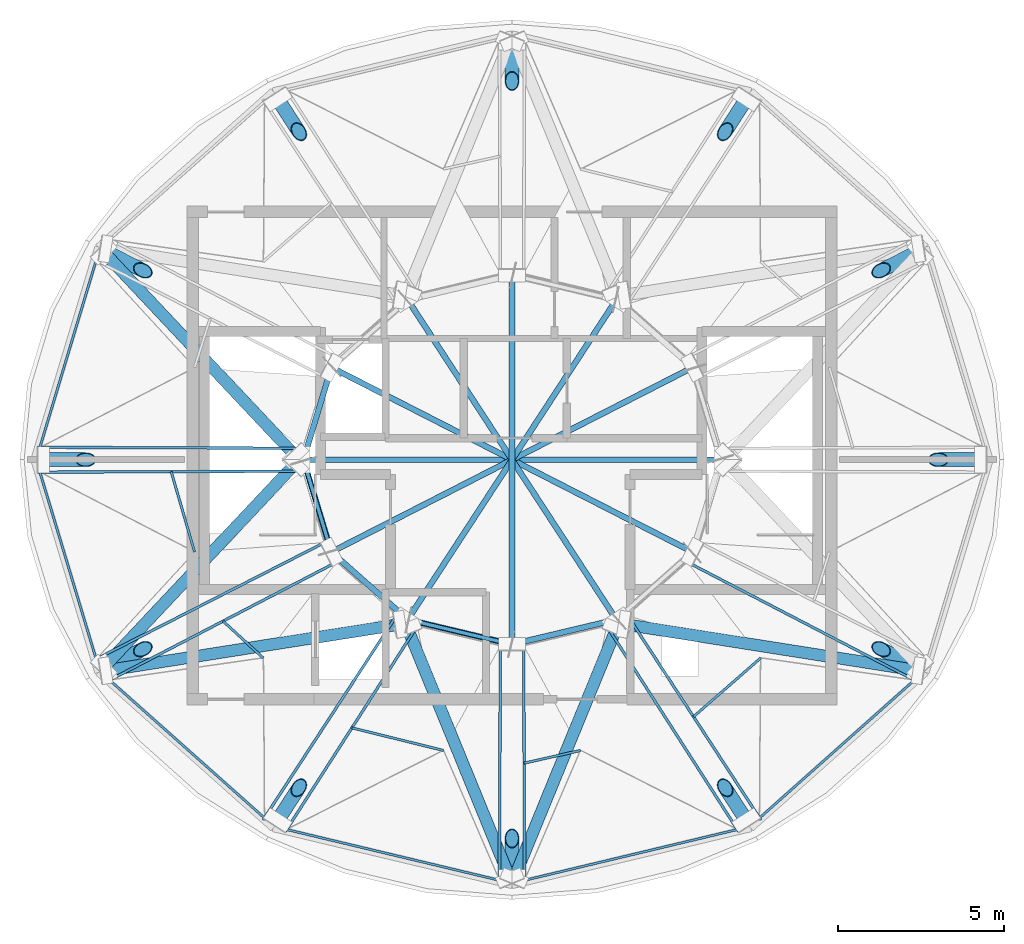
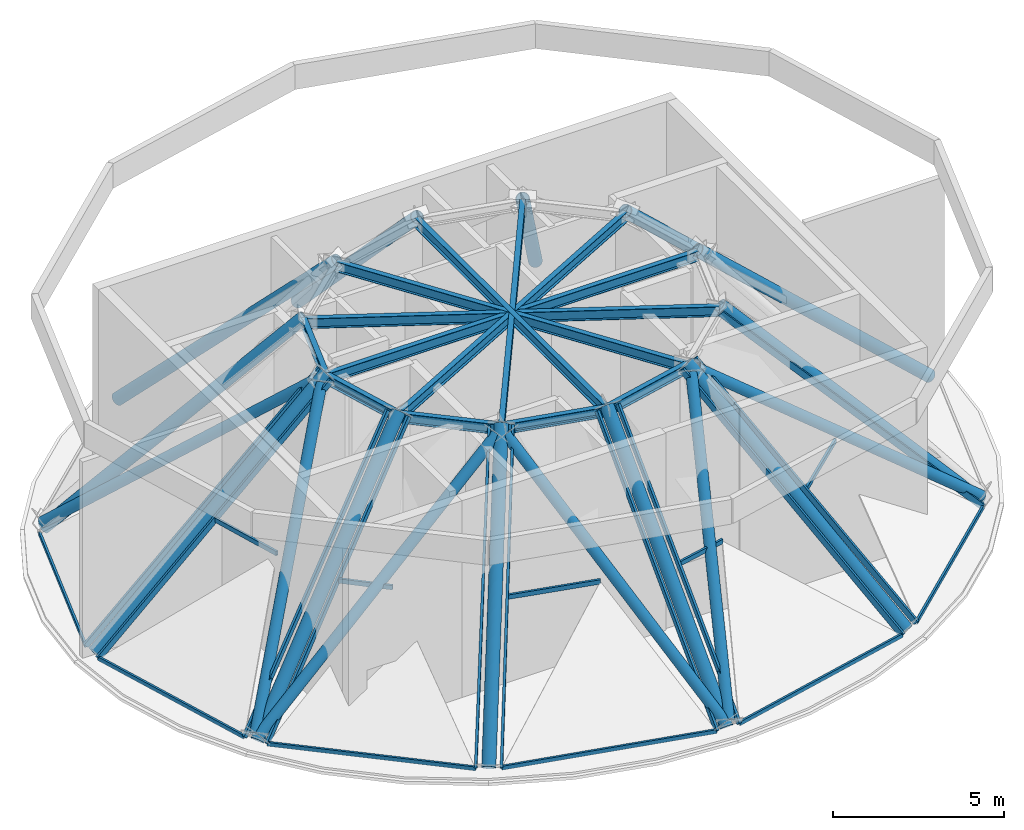
# One storey, part 1 of 6: 30 members, 12 columns, 11 beams, 6 elements without a shape of their own.
"""IFC4 building model written with IfcOpenShell, lengths in metres."""

import ifcopenshell
import ifcopenshell.guid

model = None  # the IFC model being written
_history = None  # IfcOwnerHistory: only IFC2X3 demands one
_inside = {}  # id of a spatial element -> (the spatial element, [elements in it])
_under = {}  # id of a project, library or spatial element -> (it, [spatial elements below it])
_declared = {}  # id of a project -> (the project, [libraries it declares])
_typed = {}  # id of a type object -> (the type object, [elements of that type])
_made_of = {}  # id of a material, layer set ... -> (it, [elements and type objects made of it])


def new_model(schema):
    """Start an empty IFC model of exactly this schema.

    Asked for "IFC4X3", IfcOpenShell would pick the latest addendum, in which some entities
    have other attributes; the version numbers below select the first issue.
    IFC2X3 requires an IfcOwnerHistory on every rooted entity: one is made here for all.
    """
    global model, _history
    if schema == "IFC4X3":
        model = ifcopenshell.file(schema_version=(4, 3, 0, 0))
    else:
        model = ifcopenshell.file(schema=schema)
    _inside.clear()
    _under.clear()
    _declared.clear()
    _typed.clear()
    _made_of.clear()
    _history = None
    if model.schema == "IFC2X3":
        org = make("IfcOrganization", Name="unknown")
        user = make(
            "IfcPersonAndOrganization",
            ThePerson=make("IfcPerson", FamilyName="unknown"),
            TheOrganization=org,
        )
        app = make(
            "IfcApplication",
            ApplicationDeveloper=org,
            Version="unknown",
            ApplicationFullName="unknown",
            ApplicationIdentifier="unknown",
        )
        _history = make(
            "IfcOwnerHistory",
            OwningUser=user,
            OwningApplication=app,
            ChangeAction="ADDED",
            CreationDate=0,
        )
    return model


def make(cls, **values):
    """One entity of the class cls with the attributes given. An attribute that is None is left unset."""
    return model.create_entity(
        cls, **{name: value for name, value in values.items() if value is not None}
    )


def rooted(cls, **values):
    """An entity with a GlobalId (a new one), such as an element, a storey or a relation."""
    return make(cls, GlobalId=ifcopenshell.guid.new(), OwnerHistory=_history, **values)


def si_unit(unit_type, name, prefix=None):
    """IfcSIUnit, for example si_unit("LENGTHUNIT", "METRE", prefix="MILLI")."""
    return make("IfcSIUnit", UnitType=unit_type, Prefix=prefix, Name=name)


def assignment(units):
    """IfcUnitAssignment: the units of a project."""
    return None if units is None else make("IfcUnitAssignment", Units=units)


def point(xyz):
    """IfcCartesianPoint."""
    return None if xyz is None else make("IfcCartesianPoint", Coordinates=xyz)


def direction(xyz):
    """IfcDirection."""
    return None if xyz is None else make("IfcDirection", DirectionRatios=xyz)


def frame(location, z_axis=None, x_axis=None):
    """IfcAxis2Placement3D, a coordinate frame: its origin and axes. An axis left out is left unset."""
    return make(
        "IfcAxis2Placement3D",
        Location=point(location),
        Axis=direction(z_axis),
        RefDirection=direction(x_axis),
    )


def frame_2d(location, x_axis=None):
    """IfcAxis2Placement2D, a coordinate frame in the plane: its origin and x axis."""
    return make(
        "IfcAxis2Placement2D", Location=point(location), RefDirection=direction(x_axis)
    )


def origin():
    """The frame at (0, 0, 0) with its axes left unset."""
    return frame((0.0, 0.0, 0.0))


def origin_2d():
    """The frame at (0, 0) in the plane with its x axis left unset."""
    return frame_2d((0.0, 0.0))


def place(relative_to, where):
    """IfcLocalPlacement: puts the frame where relative to a parent placement (None: the world)."""
    return make(
        "IfcLocalPlacement", PlacementRelTo=relative_to, RelativePlacement=where
    )


def context(
    kind, dimensions, precision=None, world=None, true_north=None, identifier=None
):
    """IfcGeometricRepresentationContext, for example the 3D "Model" context."""
    return make(
        "IfcGeometricRepresentationContext",
        ContextIdentifier=identifier,
        ContextType=kind,
        CoordinateSpaceDimension=dimensions,
        Precision=precision,
        WorldCoordinateSystem=world,
        TrueNorth=true_north,
    )


def subcontext(parent, identifier, kind, view, scale=None):
    """IfcGeometricRepresentationSubContext, for example "Body" below "Model"."""
    return make(
        "IfcGeometricRepresentationSubContext",
        ContextIdentifier=identifier,
        ContextType=kind,
        ParentContext=parent,
        TargetScale=scale,
        TargetView=view,
    )


def project(units=None, contexts=None):
    """IfcProject with its units and contexts."""
    return rooted(
        "IfcProject",
        Name="project",
        RepresentationContexts=contexts,
        UnitsInContext=assignment(units),
    )


def spatial(cls, under=None, at=None, **own):
    """A site, building, storey or space (cls), placed at a placement, below another one or the project."""
    s = rooted(cls, ObjectPlacement=at, **own)
    if under is not None:
        _under.setdefault(under.id(), (under, []))[1].append(s)
    return s


def profile(cls, at=None, kind="AREA", **sizes):
    """A parametric profile (cls). Its sizes go by their IFC names, for example OverallWidth=200.0."""
    return make(cls, ProfileType=kind, Position=at, **sizes)


def hollow_rectangle(**sizes):
    """IfcRectangleHollowProfileDef."""
    return profile("IfcRectangleHollowProfileDef", **sizes)


def hollow_circle(**sizes):
    """IfcCircleHollowProfileDef."""
    return profile("IfcCircleHollowProfileDef", **sizes)


def i_section(**sizes):
    """IfcIShapeProfileDef."""
    return profile("IfcIShapeProfileDef", **sizes)


def extrude(swept, where, along, depth):
    """IfcExtrudedAreaSolid: the profile swept, set in the frame where, extruded along a direction by depth."""
    return make(
        "IfcExtrudedAreaSolid",
        SweptArea=swept,
        Position=where,
        ExtrudedDirection=direction(along),
        Depth=depth,
    )


def shape(context_of_items, identifier, shape_type, items):
    """IfcShapeRepresentation: the items that make up one representation, for example the "Body"."""
    return make(
        "IfcShapeRepresentation",
        ContextOfItems=context_of_items,
        RepresentationIdentifier=identifier,
        RepresentationType=shape_type,
        Items=items,
    )


def material(Name=None, Category=None):
    """IfcMaterial."""
    return make("IfcMaterial", Name=Name, Category=Category)


def layer(
    of_material, thickness, ventilated=None, Name=None, Category=None, Priority=None
):
    """IfcMaterialLayer: one layer of a wall or slab, of a material (None: an air gap)."""
    return make(
        "IfcMaterialLayer",
        Material=of_material,
        LayerThickness=thickness,
        IsVentilated=ventilated,
        Name=Name,
        Category=Category,
        Priority=Priority,
    )


def layer_set(layers, Name=None):
    """IfcMaterialLayerSet."""
    return make("IfcMaterialLayerSet", MaterialLayers=layers, LayerSetName=Name)


def material_profile(
    of_material, cross_section, Name=None, Category=None, Priority=None
):
    """IfcMaterialProfile: a cross section and its material."""
    return make(
        "IfcMaterialProfile",
        Name=Name,
        Material=of_material,
        Profile=cross_section,
        Priority=Priority,
        Category=Category,
    )


def profile_set(profiles, Name=None, composite=None):
    """IfcMaterialProfileSet."""
    return make(
        "IfcMaterialProfileSet",
        Name=Name,
        MaterialProfiles=profiles,
        CompositeProfile=composite,
    )


def made_of(thing, what):
    """Note that an element or type object is made of a material, layer set ...; save() writes the relation."""
    if what is not None:
        _made_of.setdefault(what.id(), (what, []))[1].append(thing)
    return thing


def type_object(cls, material=None, **own):
    """A type object (cls), such as IfcWallType, which elements share."""
    return made_of(rooted(cls, **own), material)


def element(
    cls,
    number,
    at=None,
    inside=None,
    cuts=None,
    type_object=None,
    material=None,
    context=None,
    identifier="Body",
    shape_type=None,
    held_by="IfcProductDefinitionShape",
    body=None,
    shapes=None,
    **own,
):
    """One element of the class cls, such as IfcWall. Its Tag is "e" and its number.

    at: its placement. inside: the storey or other place that contains it. cuts: it is an
    opening in that element (IfcRelVoidsElement). A single representation is given by context,
    identifier, shape_type and body (its items); several are given by shapes. held_by: the class
    of the entity that holds the representations. save() writes the other relations.
    """
    e = rooted(cls, Tag="e%d" % number, ObjectPlacement=at, **own)
    if body is not None:
        shapes = [shape(context, identifier, shape_type, body)]
    if shapes is not None:
        e.Representation = make(held_by, Representations=shapes)
    if inside is not None:
        _inside.setdefault(inside.id(), (inside, []))[1].append(e)
    if cuts is not None:
        rooted(
            "IfcRelVoidsElement", RelatingBuildingElement=cuts, RelatedOpeningElement=e
        )
    if type_object is not None:
        _typed.setdefault(type_object.id(), (type_object, []))[1].append(e)
    return made_of(e, material)


def aggregate(whole, parts):
    """IfcRelAggregates: a whole, such as a stair, and the parts it consists of."""
    return rooted("IfcRelAggregates", RelatingObject=whole, RelatedObjects=parts)


def save(model, path):
    """Write the relations noted so far, then the file.

    IfcRelAggregates (storeys below a building ...), IfcRelContainedInSpatialStructure (elements
    in a storey), IfcRelDefinesByType, IfcRelAssociatesMaterial and IfcRelDeclares: one each for
    every whole, place, type object, material and project.
    """
    for whole, parts in _under.values():
        aggregate(whole, parts)
    for where, things in _inside.values():
        rooted(
            "IfcRelContainedInSpatialStructure",
            RelatedElements=things,
            RelatingStructure=where,
        )
    for kind, things in _typed.values():
        rooted("IfcRelDefinesByType", RelatedObjects=things, RelatingType=kind)
    for what, things in _made_of.values():
        rooted("IfcRelAssociatesMaterial", RelatedObjects=things, RelatingMaterial=what)
    for by, libraries in _declared.values():
        rooted("IfcRelDeclares", RelatingContext=by, RelatedDefinitions=libraries)
    model.write(path)


model = new_model("IFC4")

# Units and contexts
model_context = context("Model", 3, precision=1e-05, world=origin(), true_north=direction((0.0, 1.0)))
body_context = subcontext(model_context, "Body", "Model", "MODEL_VIEW")
ifc_project = project(units=[si_unit("LENGTHUNIT", "METRE"), si_unit("AREAUNIT", "SQUARE_METRE"), si_unit("VOLUMEUNIT", "CUBIC_METRE"), si_unit("PLANEANGLEUNIT", "RADIAN"), si_unit("MASSUNIT", "GRAM", prefix="KILO")], contexts=[model_context])

# Site, building, storey
site_placement = place(None, origin())
site = spatial("IfcSite", under=ifc_project, at=site_placement, CompositionType="ELEMENT")
building_placement = place(site_placement, origin())
building = spatial("IfcBuilding", under=site, at=building_placement, Name="Vantalir Tower", CompositionType="ELEMENT")
storey_placement = place(building_placement, frame((0.0, 0.0, 340.75)))
storey = spatial("IfcBuildingStorey", under=building, at=storey_placement, Name="L81", CompositionType="ELEMENT", Elevation=340.75)

# Columns
ifc_material_1 = material(Name="Steel S460", Category="steel")
ifc_material_profile_1 = material_profile(ifc_material_1, hollow_circle(Radius=0.2099609375, WallThickness=0.02001953125, at=origin_2d()), Name="Steel S460")
ifc_profile_set_1 = profile_set([ifc_material_profile_1], Name="Steel S460")
column_type = type_object("IfcColumnType", Name="COL-RC-420", PredefinedType="COLUMN", material=ifc_profile_set_1)
column_1_placement = place(storey_placement, frame((45.614013671875, 25.0, 0.0), z_axis=(-0.734365142386, 0.0, 0.678754622562), x_axis=(0.0, -1.0, 0.0)))
element("IfcColumn", 1, at=column_1_placement, inside=storey, type_object=column_type, Name="L81 Perimeter Ring Column RC01", PredefinedType="COLUMN", context=body_context, shape_type="SweptSolid", body=[
    extrude(hollow_circle(Radius=0.2099609375, WallThickness=0.02001953125, at=origin_2d()), origin(), (0.0, 0.0, 1.0), 10.681396484375),
])
column_2_placement = place(storey_placement, frame((43.722900390625, 31.27099609375, 0.0), z_axis=(-0.644964633939, -0.331939820228, 0.688357884181), x_axis=(0.457613709886, -0.889151107812, 0.0)))
element("IfcColumn", 2, at=column_2_placement, inside=storey, type_object=column_type, Name="L81 Perimeter Ring Column RC02", PredefinedType="COLUMN", context=body_context, shape_type="SweptSolid", body=[
    extrude(hollow_circle(Radius=0.2099609375, WallThickness=0.02001953125, at=origin_2d()), origin(), (0.0, 0.0, 1.0), 10.5322265625),
])
column_3_placement = place(storey_placement, frame((38.556884765625, 35.863037109375, 0.0), z_axis=(-0.383407518241, -0.592152672284, 0.708769276749), x_axis=(0.839408544539, -0.543500961688, 0.0)))
element("IfcColumn", 3, at=column_3_placement, inside=storey, type_object=column_type, Name="L81 Perimeter Ring Column RC03", PredefinedType="COLUMN", context=body_context, shape_type="SweptSolid", body=[
    extrude(hollow_circle(Radius=0.2099609375, WallThickness=0.02001953125, at=origin_2d()), origin(), (0.0, 0.0, 1.0), 10.22900390625),
])
column_4_placement = place(storey_placement, frame((31.5, 37.54296875, 0.0), z_axis=(0.0, -0.69423065571, 0.719752594071), x_axis=(1.0, 0.0, 0.0)))
element("IfcColumn", 4, at=column_4_placement, inside=storey, type_object=column_type, Name="L81 Perimeter Ring Column RC04", PredefinedType="COLUMN", context=body_context, shape_type="SweptSolid", body=[
    extrude(hollow_circle(Radius=0.2099609375, WallThickness=0.02001953125, at=origin_2d()), origin(), (0.0, 0.0, 1.0), 10.072998046875),
])
column_5_placement = place(storey_placement, frame((24.443115234375, 35.863037109375, 0.0), z_axis=(0.383407518241, -0.592152672284, 0.708769276749), x_axis=(0.839408544539, 0.543500961688, 0.0)))
element("IfcColumn", 5, at=column_5_placement, inside=storey, type_object=column_type, Name="L81 Perimeter Ring Column RC05", PredefinedType="COLUMN", context=body_context, shape_type="SweptSolid", body=[
    extrude(hollow_circle(Radius=0.2099609375, WallThickness=0.02001953125, at=origin_2d()), origin(), (0.0, 0.0, 1.0), 10.22900390625),
])
column_6_placement = place(storey_placement, frame((19.277099609375, 31.27099609375, 0.0), z_axis=(0.644964633939, -0.331939820228, 0.688357884181), x_axis=(0.457613709886, 0.889151107812, 0.0)))
element("IfcColumn", 6, at=column_6_placement, inside=storey, type_object=column_type, Name="L81 Perimeter Ring Column RC06", PredefinedType="COLUMN", context=body_context, shape_type="SweptSolid", body=[
    extrude(hollow_circle(Radius=0.2099609375, WallThickness=0.02001953125, at=origin_2d()), origin(), (0.0, 0.0, 1.0), 10.5322265625),
])
column_7_placement = place(storey_placement, frame((17.385986328125, 25.0, 0.0), z_axis=(0.734365142386, 0.0, 0.678754622562), x_axis=(0.0, 1.0, 0.0)))
element("IfcColumn", 7, at=column_7_placement, inside=storey, type_object=column_type, Name="L81 Perimeter Ring Column RC07", PredefinedType="COLUMN", context=body_context, shape_type="SweptSolid", body=[
    extrude(hollow_circle(Radius=0.2099609375, WallThickness=0.02001953125, at=origin_2d()), origin(), (0.0, 0.0, 1.0), 10.681396484375),
])
column_8_placement = place(storey_placement, frame((19.277099609375, 18.72802734375, 0.0), z_axis=(0.644944781578, 0.332022320706, 0.688336696152), x_axis=(-0.457714758193, 0.889099094664, 0.0)))
element("IfcColumn", 8, at=column_8_placement, inside=storey, type_object=column_type, Name="L81 Perimeter Ring Column RC08", PredefinedType="COLUMN", context=body_context, shape_type="SweptSolid", body=[
    extrude(hollow_circle(Radius=0.2099609375, WallThickness=0.02001953125, at=origin_2d()), origin(), (0.0, 0.0, 1.0), 10.53271484375),
])
column_9_placement = place(storey_placement, frame((24.443115234375, 14.136962890625, 0.0), z_axis=(0.383407518241, 0.592152672284, 0.708769276749), x_axis=(-0.839408544539, 0.543500961688, 0.0)))
element("IfcColumn", 9, at=column_9_placement, inside=storey, type_object=column_type, Name="L81 Perimeter Ring Column RC09", PredefinedType="COLUMN", context=body_context, shape_type="SweptSolid", body=[
    extrude(hollow_circle(Radius=0.2099609375, WallThickness=0.02001953125, at=origin_2d()), origin(), (0.0, 0.0, 1.0), 10.22900390625),
])
column_10_placement = place(storey_placement, frame((31.5, 12.45703125, 0.0), z_axis=(0.0, 0.69423065571, 0.719752594071), x_axis=(-1.0, 0.0, 0.0)))
element("IfcColumn", 10, at=column_10_placement, inside=storey, type_object=column_type, Name="L81 Perimeter Ring Column RC10", PredefinedType="COLUMN", context=body_context, shape_type="SweptSolid", body=[
    extrude(hollow_circle(Radius=0.2099609375, WallThickness=0.02001953125, at=origin_2d()), origin(), (0.0, 0.0, 1.0), 10.072998046875),
])
column_11_placement = place(storey_placement, frame((38.556884765625, 14.136962890625, 0.0), z_axis=(-0.383407518241, 0.592152672284, 0.708769276749), x_axis=(-0.839408544539, -0.543500961688, 0.0)))
element("IfcColumn", 11, at=column_11_placement, inside=storey, type_object=column_type, Name="L81 Perimeter Ring Column RC11", PredefinedType="COLUMN", context=body_context, shape_type="SweptSolid", body=[
    extrude(hollow_circle(Radius=0.2099609375, WallThickness=0.02001953125, at=origin_2d()), origin(), (0.0, 0.0, 1.0), 10.22900390625),
])
column_12_placement = place(storey_placement, frame((43.722900390625, 18.72802734375, 0.0), z_axis=(-0.644944781578, 0.332022320706, 0.688336696152), x_axis=(-0.457714758193, -0.889099094664, 0.0)))
element("IfcColumn", 12, at=column_12_placement, inside=storey, type_object=column_type, Name="L81 Perimeter Ring Column RC12", PredefinedType="COLUMN", context=body_context, shape_type="SweptSolid", body=[
    extrude(hollow_circle(Radius=0.2099609375, WallThickness=0.02001953125, at=origin_2d()), origin(), (0.0, 0.0, 1.0), 10.53271484375),
])

# Beams
ifc_material_profile_2 = material_profile(ifc_material_1, i_section(OverallWidth=0.172119140625, OverallDepth=0.35791015625, WebThickness=0.008056640625, FlangeThickness=0.012939453125, at=origin_2d()), Name="Steel S460")
ifc_profile_set_2 = profile_set([ifc_material_profile_2], Name="Steel S460")
beam_type = type_object("IfcBeamType", Name="BM-RB-356x171", PredefinedType="BEAM", material=ifc_profile_set_2)
beam_1_placement = place(storey_placement, frame((37.77001953125, 25.0, 7.071044921875), z_axis=(-1.0, 0.0, 0.0), x_axis=(0.0, -1.0, 0.0)))
element("IfcBeam", 13, at=beam_1_placement, inside=storey, type_object=beam_type, Name="L81 Crown Tie Floor Beam 01", PredefinedType="BEAM", context=body_context, shape_type="SweptSolid", body=[
    extrude(i_section(OverallWidth=0.172119140625, OverallDepth=0.35791015625, WebThickness=0.008056640625, FlangeThickness=0.012939453125, at=origin_2d()), origin(), (0.0, 0.0, 1.0), 12.5400390625),
])
beam_2_placement = place(storey_placement, frame((36.929931640625, 27.77490234375, 7.071044921875), z_axis=(-0.89046100098, -0.455059562841, 0.0), x_axis=(0.455059562841, -0.89046100098, 0.0)))
element("IfcBeam", 14, at=beam_2_placement, inside=storey, type_object=beam_type, Name="L81 Crown Tie Floor Beam 02", PredefinedType="BEAM", context=body_context, shape_type="SweptSolid", body=[
    extrude(i_section(OverallWidth=0.172119140625, OverallDepth=0.35791015625, WebThickness=0.008056640625, FlangeThickness=0.012939453125, at=origin_2d()), origin(), (0.0, 0.0, 1.0), 12.19580078125),
])
beam_3_placement = place(storey_placement, frame((34.635009765625, 29.805908203125, 7.071044921875), z_axis=(-0.54635603312, -0.837553034185, 0.0), x_axis=(0.837553034185, -0.54635603312, 0.0)))
element("IfcBeam", 15, at=beam_3_placement, inside=storey, type_object=beam_type, Name="L81 Crown Tie Floor Beam 03", PredefinedType="BEAM", context=body_context, shape_type="SweptSolid", body=[
    extrude(i_section(OverallWidth=0.172119140625, OverallDepth=0.35791015625, WebThickness=0.008056640625, FlangeThickness=0.012939453125, at=origin_2d()), origin(), (0.0, 0.0, 1.0), 11.47607421875),
])
beam_4_placement = place(storey_placement, frame((31.5, 30.550048828125, 7.071044921875), z_axis=(0.0, -1.0, 0.0), x_axis=(1.0, 0.0, 0.0)))
element("IfcBeam", 16, at=beam_4_placement, inside=storey, type_object=beam_type, Name="L81 Crown Tie Floor Beam 04", PredefinedType="BEAM", context=body_context, shape_type="SweptSolid", body=[
    extrude(i_section(OverallWidth=0.172119140625, OverallDepth=0.35791015625, WebThickness=0.008056640625, FlangeThickness=0.012939453125, at=origin_2d()), origin(), (0.0, 0.0, 1.0), 11.10009765625),
])
beam_5_placement = place(storey_placement, frame((28.364990234375, 29.805908203125, 7.071044921875), z_axis=(0.54635603312, -0.837553034185, 0.0), x_axis=(0.837553034185, 0.54635603312, 0.0)))
element("IfcBeam", 17, at=beam_5_placement, inside=storey, type_object=beam_type, Name="L81 Crown Tie Floor Beam 05", PredefinedType="BEAM", context=body_context, shape_type="SweptSolid", body=[
    extrude(i_section(OverallWidth=0.172119140625, OverallDepth=0.35791015625, WebThickness=0.008056640625, FlangeThickness=0.012939453125, at=origin_2d()), origin(), (0.0, 0.0, 1.0), 11.47607421875),
])
beam_6_placement = place(storey_placement, frame((26.070068359375, 27.77490234375, 7.071044921875), z_axis=(-0.289757313078, -0.957100151247, 0.0), x_axis=(0.957100151247, -0.289757313078, 0.0)))
element("IfcBeam", 18, at=beam_6_placement, inside=storey, type_object=beam_type, Name="L81 Circumferential Ring Girder 06", PredefinedType="BEAM", context=body_context, shape_type="SweptSolid", body=[
    extrude(i_section(OverallWidth=0.172119140625, OverallDepth=0.35791015625, WebThickness=0.008056640625, FlangeThickness=0.012939453125, at=origin_2d()), origin(), (0.0, 0.0, 1.0), 2.899169921875),
])
beam_7_placement = place(storey_placement, frame((26.070068359375, 27.77490234375, 7.071044921875), z_axis=(0.89046100098, -0.455059562841, 0.0), x_axis=(0.455059562841, 0.89046100098, 0.0)))
element("IfcBeam", 19, at=beam_7_placement, inside=storey, type_object=beam_type, Name="L81 Crown Tie Floor Beam 06", PredefinedType="BEAM", context=body_context, shape_type="SweptSolid", body=[
    extrude(i_section(OverallWidth=0.172119140625, OverallDepth=0.35791015625, WebThickness=0.008056640625, FlangeThickness=0.012939453125, at=origin_2d()), origin(), (0.0, 0.0, 1.0), 12.19580078125),
])
beam_8_placement = place(storey_placement, frame((25.22998046875, 25.0, 7.071044921875), z_axis=(0.289757313078, -0.957100151247, 0.0), x_axis=(0.957100151247, 0.289757313078, 0.0)))
element("IfcBeam", 20, at=beam_8_placement, inside=storey, type_object=beam_type, Name="L81 Circumferential Ring Girder 07", PredefinedType="BEAM", context=body_context, shape_type="SweptSolid", body=[
    extrude(i_section(OverallWidth=0.172119140625, OverallDepth=0.35791015625, WebThickness=0.008056640625, FlangeThickness=0.012939453125, at=origin_2d()), origin(), (0.0, 0.0, 1.0), 2.899169921875),
])
beam_9_placement = place(storey_placement, frame((26.070068359375, 22.22509765625, 7.071044921875), z_axis=(0.748853610348, -0.662735445158, 0.0), x_axis=(0.662735445158, 0.748853610348, 0.0)))
element("IfcBeam", 21, at=beam_9_placement, inside=storey, type_object=beam_type, Name="L81 Circumferential Ring Girder 08", PredefinedType="BEAM", context=body_context, shape_type="SweptSolid", body=[
    extrude(i_section(OverallWidth=0.172119140625, OverallDepth=0.35791015625, WebThickness=0.008056640625, FlangeThickness=0.012939453125, at=origin_2d()), origin(), (0.0, 0.0, 1.0), 3.064697265625),
])
for number, where, z_axis, x_axis, name in (
    (22, (28.364990234375, 20.194091796875, 7.071044921875), (0.972966140328, -0.23094780747, 0.0), (0.23094780747, 0.972966140328, 0.0), "L81 Circumferential Ring Girder 09"),
    (23, (31.5, 19.449951171875, 7.071044921875), (0.972966140328, 0.23094780747, 0.0), (-0.23094780747, 0.972966140328, 0.0), "L81 Circumferential Ring Girder 10"),
):
    element("IfcBeam", number, at=place(storey_placement, frame(where, z_axis=z_axis, x_axis=x_axis)), inside=storey, type_object=beam_type, Name=name, PredefinedType="BEAM", context=body_context, shape_type="SweptSolid", body=[
        extrude(i_section(OverallWidth=0.172119140625, OverallDepth=0.35791015625, WebThickness=0.008056640625, FlangeThickness=0.012939453125, at=origin_2d()), origin(), (0.0, 0.0, 1.0), 3.22216796875),
    ])

# Curtain wall, member
ifc_material_2 = material(Name="Champagne-silver PVDF aluminium and double-silver Low-E glass", Category="aluminium")
ifc_layer = layer(ifc_material_2, 0.25)
ifc_layer_set = layer_set([ifc_layer], Name="Champagne-silver PVDF aluminium and double-silver Low-E glass")
curtain_wall_type = type_object("IfcCurtainWallType", Name="CW-CROWN-PT", PredefinedType="USERDEFINED", material=ifc_layer_set)
curtain_wall_1_placement = place(storey_placement, origin())
curtain_wall_1 = element("IfcCurtainWall", 24, at=curtain_wall_1_placement, inside=storey, type_object=curtain_wall_type, Name="L81 Quilted Pyramid-Diamond Curtain Wall S06", ObjectType="UNITISED CURTAIN WALL", PredefinedType="USERDEFINED")
ifc_material_3 = material(Name="Champagne-silver PVDF aluminium 6063-T6", Category="aluminium")
ifc_material_profile_3 = material_profile(ifc_material_3, hollow_rectangle(XDim=0.080078125, YDim=0.199951171875, WallThickness=0.0048828125, at=origin_2d()), Name="Champagne-silver PVDF aluminium 6063-T6")
ifc_profile_set_3 = profile_set([ifc_material_profile_3], Name="Champagne-silver PVDF aluminium 6063-T6")
member_type_1 = type_object("IfcMemberType", Name="CWM-200x80", PredefinedType="MULLION", material=ifc_profile_set_3)
member_1_placement = place(storey_placement, frame((17.30810546875, 25.373046875, 0.044921875), z_axis=(0.740778487753, -0.002634021585, 0.671744217699), x_axis=(0.003555725466, 0.999993678388, 0.0)))
member_1 = element("IfcMember", 25, at=member_1_placement, type_object=member_type_1, Name="CW-L81-S06 Mullion 2", PredefinedType="MULLION", context=body_context, shape_type="SweptSolid", body=[
    extrude(hollow_rectangle(XDim=0.080078125, YDim=0.199951171875, WallThickness=0.0048828125, at=origin_2d()), origin(), (0.0, 0.0, 1.0), 10.658935546875),
])

# Curtain wall, members
curtain_wall_2_placement = place(storey_placement, origin())
curtain_wall_2 = element("IfcCurtainWall", 26, at=curtain_wall_2_placement, inside=storey, type_object=curtain_wall_type, Name="L81 Quilted Pyramid-Diamond Curtain Wall S07", ObjectType="UNITISED CURTAIN WALL", PredefinedType="USERDEFINED")
member_2_placement = place(storey_placement, frame((17.30810546875, 24.626953125, 0.044921875), z_axis=(0.740778487753, 0.002634021585, 0.671744217699), x_axis=(-0.003555725466, 0.999993678388, 0.0)))
member_2 = element("IfcMember", 27, at=member_2_placement, type_object=member_type_1, Name="CW-L81-S07 Mullion 1", PredefinedType="MULLION", context=body_context, shape_type="SweptSolid", body=[
    extrude(hollow_rectangle(XDim=0.080078125, YDim=0.199951171875, WallThickness=0.0048828125, at=origin_2d()), origin(), (0.0, 0.0, 1.0), 10.658935546875),
])
member_3_placement = place(storey_placement, frame((19.0, 19.006103515625, 0.044921875), z_axis=(0.652009381347, 0.332880172572, 0.681230179414), x_axis=(-0.454711292987, 0.890638894295, 0.0)))
member_3 = element("IfcMember", 28, at=member_3_placement, type_object=member_type_1, Name="CW-L81-S07 Mullion 2", PredefinedType="MULLION", context=body_context, shape_type="SweptSolid", body=[
    extrude(hollow_rectangle(XDim=0.080078125, YDim=0.199951171875, WallThickness=0.0048828125, at=origin_2d()), origin(), (0.0, 0.0, 1.0), 10.5107421875),
])

curtain_wall_3_placement = place(storey_placement, origin())
curtain_wall_3 = element("IfcCurtainWall", 29, at=curtain_wall_3_placement, inside=storey, type_object=curtain_wall_type, Name="L81 Quilted Pyramid-Diamond Curtain Wall S08", ObjectType="UNITISED CURTAIN WALL", PredefinedType="USERDEFINED")
member_4_placement = place(storey_placement, frame((19.403076171875, 18.3740234375, 0.044921875), z_axis=(0.649363441116, 0.337565823614, 0.681451712207), x_axis=(-0.461241773331, 0.887274493342, 0.0)))
member_4 = element("IfcMember", 30, at=member_4_placement, type_object=member_type_1, Name="CW-L81-S08 Mullion 1", PredefinedType="MULLION", context=body_context, shape_type="SweptSolid", body=[
    extrude(hollow_rectangle(XDim=0.080078125, YDim=0.199951171875, WallThickness=0.0048828125, at=origin_2d()), origin(), (0.0, 0.0, 1.0), 10.50732421875),
])
member_5_placement = place(storey_placement, frame((24.056884765625, 14.23193359375, 0.044921875), z_axis=(0.389457173987, 0.596626953416, 0.70168325339), x_axis=(-0.83738406038, 0.546614979142, 0.0)))
member_5 = element("IfcMember", 31, at=member_5_placement, type_object=member_type_1, Name="CW-L81-S08 Mullion 2", PredefinedType="MULLION", context=body_context, shape_type="SweptSolid", body=[
    extrude(hollow_rectangle(XDim=0.080078125, YDim=0.199951171875, WallThickness=0.0048828125, at=origin_2d()), origin(), (0.0, 0.0, 1.0), 10.204345703125),
])

curtain_wall_4_placement = place(storey_placement, origin())
curtain_wall_4 = element("IfcCurtainWall", 32, at=curtain_wall_4_placement, inside=storey, type_object=curtain_wall_type, Name="L81 Quilted Pyramid-Diamond Curtain Wall S09", ObjectType="UNITISED CURTAIN WALL", PredefinedType="USERDEFINED")
member_6_placement = place(storey_placement, frame((24.72705078125, 13.883056640625, 0.044921875), z_axis=(0.384575349421, 0.59948087982, 0.701943356225), x_axis=(-0.841692353303, 0.539957389423, 0.0)))
member_6 = element("IfcMember", 33, at=member_6_placement, type_object=member_type_1, Name="CW-L81-S09 Mullion 1", PredefinedType="MULLION", context=body_context, shape_type="SweptSolid", body=[
    extrude(hollow_rectangle(XDim=0.080078125, YDim=0.199951171875, WallThickness=0.0048828125, at=origin_2d()), origin(), (0.0, 0.0, 1.0), 10.200439453125),
])
member_7_placement = place(storey_placement, frame((31.12109375, 12.35693359375, 0.044921875), z_axis=(0.002867743735, 0.701406372276, 0.71275583265), x_axis=(-0.999991641933, 0.004088528247, 0.0)))
member_7 = element("IfcMember", 34, at=member_7_placement, type_object=member_type_1, Name="CW-L81-S09 Mullion 2", PredefinedType="MULLION", context=body_context, shape_type="SweptSolid", body=[
    extrude(hollow_rectangle(XDim=0.080078125, YDim=0.199951171875, WallThickness=0.0048828125, at=origin_2d()), origin(), (0.0, 0.0, 1.0), 10.045654296875),
])

curtain_wall_5_placement = place(storey_placement, origin())
curtain_wall_5 = element("IfcCurtainWall", 35, at=curtain_wall_5_placement, inside=storey, type_object=curtain_wall_type, Name="L81 Quilted Pyramid-Diamond Curtain Wall S10", ObjectType="UNITISED CURTAIN WALL", PredefinedType="USERDEFINED")
member_8_placement = place(storey_placement, frame((31.87890625, 12.35693359375, 0.044921875), z_axis=(-0.002867743735, 0.701406372276, 0.71275583265), x_axis=(-0.999991641933, -0.004088528247, 0.0)))
member_8 = element("IfcMember", 36, at=member_8_placement, type_object=member_type_1, Name="CW-L81-S10 Mullion 1", PredefinedType="MULLION", context=body_context, shape_type="SweptSolid", body=[
    extrude(hollow_rectangle(XDim=0.080078125, YDim=0.199951171875, WallThickness=0.0048828125, at=origin_2d()), origin(), (0.0, 0.0, 1.0), 10.045654296875),
])
member_9_placement = place(storey_placement, frame((38.27294921875, 13.883056640625, 0.044921875), z_axis=(-0.384575349421, 0.59948087982, 0.701943356225), x_axis=(-0.841692353303, -0.539957389423, 0.0)))
member_9 = element("IfcMember", 37, at=member_9_placement, type_object=member_type_1, Name="CW-L81-S10 Mullion 2", PredefinedType="MULLION", context=body_context, shape_type="SweptSolid", body=[
    extrude(hollow_rectangle(XDim=0.080078125, YDim=0.199951171875, WallThickness=0.0048828125, at=origin_2d()), origin(), (0.0, 0.0, 1.0), 10.200439453125),
])

curtain_wall_6_placement = place(storey_placement, origin())
curtain_wall_6 = element("IfcCurtainWall", 38, at=curtain_wall_6_placement, inside=storey, type_object=curtain_wall_type, Name="L81 Quilted Pyramid-Diamond Curtain Wall S11", ObjectType="UNITISED CURTAIN WALL", PredefinedType="USERDEFINED")
member_10_placement = place(storey_placement, frame((38.943115234375, 14.23193359375, 0.044921875), z_axis=(-0.389457173987, 0.596626953416, 0.70168325339), x_axis=(-0.83738406038, -0.546614979142, 0.0)))
member_10 = element("IfcMember", 39, at=member_10_placement, type_object=member_type_1, Name="CW-L81-S11 Mullion 1", PredefinedType="MULLION", context=body_context, shape_type="SweptSolid", body=[
    extrude(hollow_rectangle(XDim=0.080078125, YDim=0.199951171875, WallThickness=0.0048828125, at=origin_2d()), origin(), (0.0, 0.0, 1.0), 10.204345703125),
])
member_11_placement = place(storey_placement, frame((43.596923828125, 18.3740234375, 0.044921875), z_axis=(-0.649363441116, 0.337565823614, 0.681451712207), x_axis=(-0.461241773331, -0.887274493342, 0.0)))
member_11 = element("IfcMember", 40, at=member_11_placement, type_object=member_type_1, Name="CW-L81-S11 Mullion 2", PredefinedType="MULLION", context=body_context, shape_type="SweptSolid", body=[
    extrude(hollow_rectangle(XDim=0.080078125, YDim=0.199951171875, WallThickness=0.0048828125, at=origin_2d()), origin(), (0.0, 0.0, 1.0), 10.50732421875),
])

# Member
ifc_material_profile_4 = material_profile(ifc_material_3, hollow_rectangle(XDim=0.070068359375, YDim=0.139892578125, WallThickness=0.00390625, at=origin_2d()), Name="Champagne-silver PVDF aluminium 6063-T6")
ifc_profile_set_4 = profile_set([ifc_material_profile_4], Name="Champagne-silver PVDF aluminium 6063-T6")
member_type_2 = type_object("IfcMemberType", Name="CWT-140x70", PredefinedType="USERDEFINED", material=ifc_profile_set_4)
member_12_placement = place(storey_placement, frame((19.0, 30.992919921875, 0.054931640625), z_axis=(-0.2882751223, -0.957547624854, 0.0), x_axis=(0.957547624854, -0.2882751223, 0.0)))
member_12 = element("IfcMember", 41, at=member_12_placement, type_object=member_type_2, Name="CW-L81-S06 Sill Transom", ObjectType="TRANSOM", PredefinedType="USERDEFINED", context=body_context, shape_type="SweptSolid", body=[
    extrude(hollow_rectangle(XDim=0.070068359375, YDim=0.139892578125, WallThickness=0.00390625, at=origin_2d()), origin(), (0.0, 0.0, 1.0), 5.869140625),
])

aggregate(curtain_wall_1, [member_1, member_12])

member_13_placement = place(storey_placement, frame((17.30810546875, 24.626953125, 0.054931640625), z_axis=(0.288229198754, -0.957561449195, 0.0), x_axis=(0.957561449195, 0.288229198754, 0.0)))
member_13 = element("IfcMember", 42, at=member_13_placement, type_object=member_type_2, Name="CW-L81-S07 Sill Transom", ObjectType="TRANSOM", PredefinedType="USERDEFINED", context=body_context, shape_type="SweptSolid", body=[
    extrude(hollow_rectangle(XDim=0.070068359375, YDim=0.139892578125, WallThickness=0.00390625, at=origin_2d()), origin(), (0.0, 0.0, 1.0), 5.869873046875),
])

member_14_placement = place(storey_placement, frame((19.403076171875, 18.3740234375, 0.054931640625), z_axis=(0.7469810802, -0.664845294653, 0.0), x_axis=(0.664845294653, 0.7469810802, 0.0)))
member_14 = element("IfcMember", 43, at=member_14_placement, type_object=member_type_2, Name="CW-L81-S08 Sill Transom", ObjectType="TRANSOM", PredefinedType="USERDEFINED", context=body_context, shape_type="SweptSolid", body=[
    extrude(hollow_rectangle(XDim=0.070068359375, YDim=0.139892578125, WallThickness=0.00390625, at=origin_2d()), origin(), (0.0, 0.0, 1.0), 6.230224609375),
])

member_15_placement = place(storey_placement, frame((24.72705078125, 13.883056640625, 0.054931640625), z_axis=(0.97267815095, -0.232157736601, 0.0), x_axis=(0.232157736601, 0.97267815095, 0.0)))
member_15 = element("IfcMember", 44, at=member_15_placement, type_object=member_type_2, Name="CW-L81-S09 Sill Transom", ObjectType="TRANSOM", PredefinedType="USERDEFINED", context=body_context, shape_type="SweptSolid", body=[
    extrude(hollow_rectangle(XDim=0.070068359375, YDim=0.139892578125, WallThickness=0.00390625, at=origin_2d()), origin(), (0.0, 0.0, 1.0), 6.57373046875),
])

member_16_placement = place(storey_placement, frame((31.87890625, 12.35693359375, 0.054931640625), z_axis=(0.97267815095, 0.232157736601, 0.0), x_axis=(-0.232157736601, 0.97267815095, 0.0)))
member_16 = element("IfcMember", 45, at=member_16_placement, type_object=member_type_2, Name="CW-L81-S10 Sill Transom", ObjectType="TRANSOM", PredefinedType="USERDEFINED", context=body_context, shape_type="SweptSolid", body=[
    extrude(hollow_rectangle(XDim=0.070068359375, YDim=0.139892578125, WallThickness=0.00390625, at=origin_2d()), origin(), (0.0, 0.0, 1.0), 6.57373046875),
])

member_17_placement = place(storey_placement, frame((38.943115234375, 14.23193359375, 0.054931640625), z_axis=(0.7469810802, 0.664845294653, 0.0), x_axis=(-0.664845294653, 0.7469810802, 0.0)))
member_17 = element("IfcMember", 46, at=member_17_placement, type_object=member_type_2, Name="CW-L81-S11 Sill Transom", ObjectType="TRANSOM", PredefinedType="USERDEFINED", context=body_context, shape_type="SweptSolid", body=[
    extrude(hollow_rectangle(XDim=0.070068359375, YDim=0.139892578125, WallThickness=0.00390625, at=origin_2d()), origin(), (0.0, 0.0, 1.0), 6.230224609375),
])

ifc_material_profile_5 = material_profile(ifc_material_3, hollow_rectangle(XDim=0.074951171875, YDim=0.159912109375, WallThickness=0.00390625, at=origin_2d()), Name="Champagne-silver PVDF aluminium 6063-T6")
ifc_profile_set_5 = profile_set([ifc_material_profile_5], Name="Champagne-silver PVDF aluminium 6063-T6")
member_type_3 = type_object("IfcMemberType", Name="CWT-160x75", PredefinedType="USERDEFINED", material=ifc_profile_set_5)
member_18_placement = place(storey_placement, frame((21.256103515625, 24.64111328125, 3.625), z_axis=(0.27934417931, -0.960191038016, 0.0), x_axis=(0.960191038016, 0.27934417931, 0.0)))
member_18 = element("IfcMember", 47, at=member_18_placement, type_object=member_type_3, Name="CW-L81-S07 Pyramid Fold Ridge Transom", ObjectType="TRANSOM", PredefinedType="USERDEFINED", context=body_context, shape_type="SweptSolid", body=[
    extrude(hollow_rectangle(XDim=0.074951171875, YDim=0.159912109375, WallThickness=0.00390625, at=origin_2d()), origin(), (0.0, 0.0, 1.0), 2.51611328125),
])

aggregate(curtain_wall_2, [member_2, member_3, member_13, member_18])

member_19_placement = place(storey_placement, frame((22.81494140625, 20.14697265625, 3.625), z_axis=(0.737574754998, -0.675265489115, 0.0), x_axis=(0.675265489115, 0.737574754998, 0.0)))
member_19 = element("IfcMember", 48, at=member_19_placement, type_object=member_type_3, Name="CW-L81-S08 Pyramid Fold Ridge Transom", ObjectType="TRANSOM", PredefinedType="USERDEFINED", context=body_context, shape_type="SweptSolid", body=[
    extrude(hollow_rectangle(XDim=0.074951171875, YDim=0.159912109375, WallThickness=0.00390625, at=origin_2d()), origin(), (0.0, 0.0, 1.0), 1.6376953125),
])

aggregate(curtain_wall_3, [member_4, member_5, member_14, member_19])

member_20_placement = place(storey_placement, frame((26.68896484375, 16.93994140625, 3.625), z_axis=(0.970787722038, -0.239939989872, 0.0), x_axis=(0.239939989872, 0.970787722038, 0.0)))
member_20 = element("IfcMember", 49, at=member_20_placement, type_object=member_type_3, Name="CW-L81-S09 Pyramid Fold Ridge Transom", ObjectType="TRANSOM", PredefinedType="USERDEFINED", context=body_context, shape_type="SweptSolid", body=[
    extrude(hollow_rectangle(XDim=0.074951171875, YDim=0.159912109375, WallThickness=0.00390625, at=origin_2d()), origin(), (0.0, 0.0, 1.0), 2.833740234375),
])

aggregate(curtain_wall_4, [member_6, member_7, member_15, member_20])

member_21_placement = place(storey_placement, frame((31.864990234375, 15.8798828125, 3.625), z_axis=(0.975765265983, 0.218819893293, 0.0), x_axis=(-0.218819893293, 0.975765265983, 0.0)))
member_21 = element("IfcMember", 50, at=member_21_placement, type_object=member_type_3, Name="CW-L81-S10 Pyramid Fold Ridge Transom", ObjectType="TRANSOM", PredefinedType="USERDEFINED", context=body_context, shape_type="SweptSolid", body=[
    extrude(hollow_rectangle(XDim=0.074951171875, YDim=0.159912109375, WallThickness=0.00390625, at=origin_2d()), origin(), (0.0, 0.0, 1.0), 1.737060546875),
])

aggregate(curtain_wall_5, [member_8, member_9, member_16, member_21])

member_22_placement = place(storey_placement, frame((36.9560546875, 17.27587890625, 3.625), z_axis=(0.753173826294, 0.657821546763, 0.0), x_axis=(-0.657821546763, 0.753173826294, 0.0)))
member_22 = element("IfcMember", 51, at=member_22_placement, type_object=member_type_3, Name="CW-L81-S11 Pyramid Fold Ridge Transom", ObjectType="TRANSOM", PredefinedType="USERDEFINED", context=body_context, shape_type="SweptSolid", body=[
    extrude(hollow_rectangle(XDim=0.074951171875, YDim=0.159912109375, WallThickness=0.00390625, at=origin_2d()), origin(), (0.0, 0.0, 1.0), 2.683349609375),
])

aggregate(curtain_wall_6, [member_10, member_11, member_17, member_22])

# Members
ifc_material_profile_6 = material_profile(ifc_material_1, hollow_circle(Radius=0.177490234375, WallThickness=0.02001953125, at=origin_2d()), Name="Steel S460")
ifc_profile_set_6 = profile_set([ifc_material_profile_6], Name="Steel S460")
member_type_4 = type_object("IfcMemberType", Name="MEM-DB-355x20", PredefinedType="BRACE", material=ifc_profile_set_6)
member_23_placement = place(storey_placement, frame((19.22900390625, 31.241943359375, 0.218994140625), z_axis=(0.532085532325, -0.565747257066, 0.629932557829), x_axis=(0.728445727505, 0.685103511945, 0.0)))
element("IfcMember", 52, at=member_23_placement, inside=storey, type_object=member_type_4, Name="L81 CROWN FRAME Diagrid Brace R16L", PredefinedType="BRACE", context=body_context, shape_type="SweptSolid", body=[
    extrude(hollow_circle(Radius=0.177490234375, WallThickness=0.02001953125, at=origin_2d()), origin(), (0.0, 0.0, 1.0), 10.81396484375),
])
member_24_placement = place(storey_placement, frame((19.284912109375, 18.659912109375, 0.212890625), z_axis=(0.785548087791, 0.12385011407, 0.606279927932), x_axis=(-0.155737076099, 0.987798543797, 0.0)))
element("IfcMember", 53, at=member_24_placement, inside=storey, type_object=member_type_4, Name="L81 CROWN FRAME Diagrid Brace R22L", PredefinedType="BRACE", context=body_context, shape_type="SweptSolid", body=[
    extrude(hollow_circle(Radius=0.177490234375, WallThickness=0.02001953125, at=origin_2d()), origin(), (0.0, 0.0, 1.0), 11.255859375),
])
member_25_placement = place(storey_placement, frame((19.22900390625, 18.757080078125, 0.218994140625), z_axis=(0.532058347659, 0.56580865442, 0.629900374083), x_axis=(-0.728500297092, 0.685045485451, 0.0)))
element("IfcMember", 54, at=member_25_placement, inside=storey, type_object=member_type_4, Name="L81 CROWN FRAME Diagrid Brace R22R", PredefinedType="BRACE", context=body_context, shape_type="SweptSolid", body=[
    extrude(hollow_circle(Radius=0.177490234375, WallThickness=0.02001953125, at=origin_2d()), origin(), (0.0, 0.0, 1.0), 10.814453125),
])
for number, where, z_axis, x_axis, name in (
    (55, (31.56396484375, 12.423095703125, 0.220947265625), (0.290192067611, 0.708656270647, 0.643113406771), (-0.925415454522, 0.378954135129, 0.0), "L81 CROWN FRAME Diagrid Brace R28L"),
    (56, (31.43603515625, 12.423095703125, 0.220947265625), (-0.290192067611, 0.708656270647, 0.643113406771), (-0.925415454522, -0.378954135129, 0.0), "L81 CROWN FRAME Diagrid Brace R28R"),
):
    element("IfcMember", number, at=place(storey_placement, frame(where, z_axis=z_axis, x_axis=x_axis)), inside=storey, type_object=member_type_4, Name=name, PredefinedType="BRACE", context=body_context, shape_type="SweptSolid", body=[
        extrude(hollow_circle(Radius=0.177490234375, WallThickness=0.02001953125, at=origin_2d()), origin(), (0.0, 0.0, 1.0), 10.586181640625),
    ])
member_26_placement = place(storey_placement, frame((43.715087890625, 18.659912109375, 0.212890625), z_axis=(-0.785548087791, 0.12385011407, 0.606279927932), x_axis=(-0.155737076099, -0.987798543797, 0.0)))
element("IfcMember", 57, at=member_26_placement, inside=storey, type_object=member_type_4, Name="L81 CROWN FRAME Diagrid Brace R34R", PredefinedType="BRACE", context=body_context, shape_type="SweptSolid", body=[
    extrude(hollow_circle(Radius=0.177490234375, WallThickness=0.02001953125, at=origin_2d()), origin(), (0.0, 0.0, 1.0), 11.255859375),
])
ifc_material_4 = material(Name="Steel S355", Category="steel")
ifc_material_profile_7 = material_profile(ifc_material_4, hollow_rectangle(XDim=0.1201171875, YDim=0.239990234375, WallThickness=0.010009765625, at=origin_2d()), Name="Steel S355")
ifc_profile_set_7 = profile_set([ifc_material_profile_7], Name="Steel S355")
member_type_5 = type_object("IfcMemberType", Name="MEM-PR-240x120", PredefinedType="PURLIN", material=ifc_profile_set_7)
member_27_placement = place(storey_placement, frame((25.241943359375, 24.9619140625, 7.1298828125), z_axis=(0.289452229419, -0.957192460733, 0.0), x_axis=(0.957192460733, 0.289452229419, 0.0)))
element("IfcMember", 58, at=member_27_placement, inside=storey, type_object=member_type_5, Name="Crown Apex Roof Purlin 04", PredefinedType="PURLIN", context=body_context, shape_type="SweptSolid", body=[
    extrude(hollow_rectangle(XDim=0.1201171875, YDim=0.239990234375, WallThickness=0.010009765625, at=origin_2d()), origin(), (0.0, 0.0, 1.0), 2.819580078125),
])
member_28_placement = place(storey_placement, frame((28.404052734375, 20.18505859375, 7.1298828125), z_axis=(0.97293196483, -0.231091738951, 0.0), x_axis=(0.231091738951, 0.97293196483, 0.0)))
element("IfcMember", 59, at=member_28_placement, inside=storey, type_object=member_type_5, Name="Crown Apex Roof Purlin 05", PredefinedType="PURLIN", context=body_context, shape_type="SweptSolid", body=[
    extrude(hollow_rectangle(XDim=0.1201171875, YDim=0.239990234375, WallThickness=0.010009765625, at=origin_2d()), origin(), (0.0, 0.0, 1.0), 3.141845703125),
])

save(model, "model.ifc")
